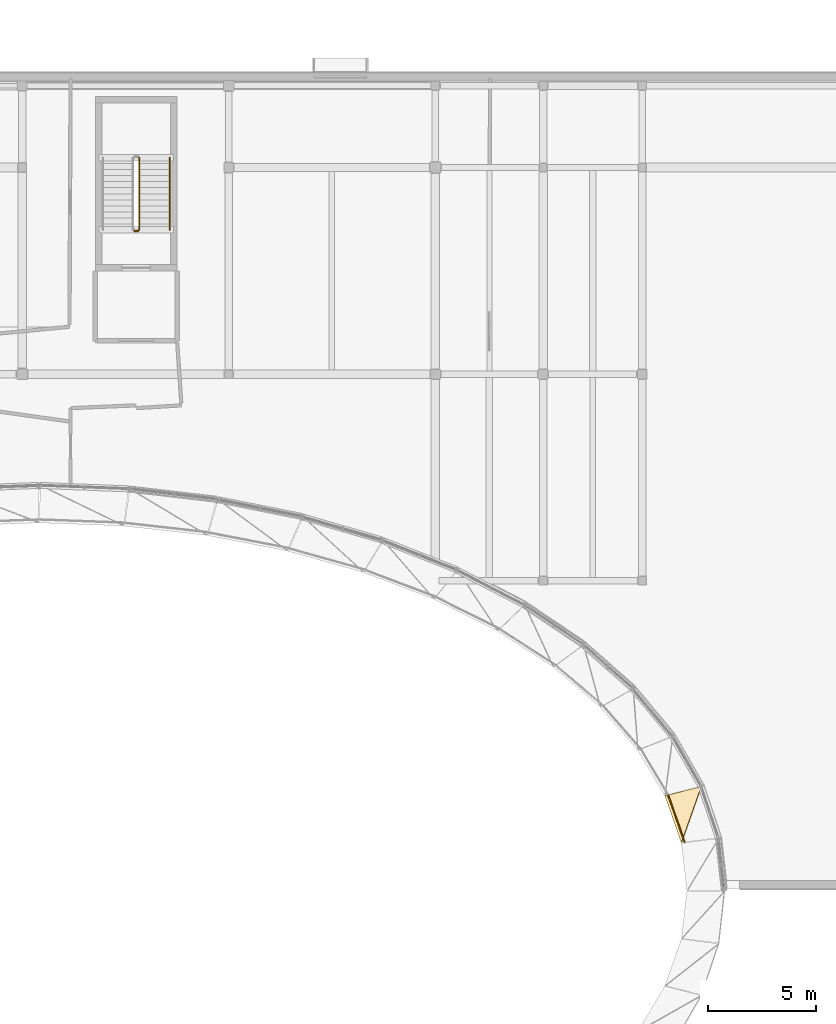
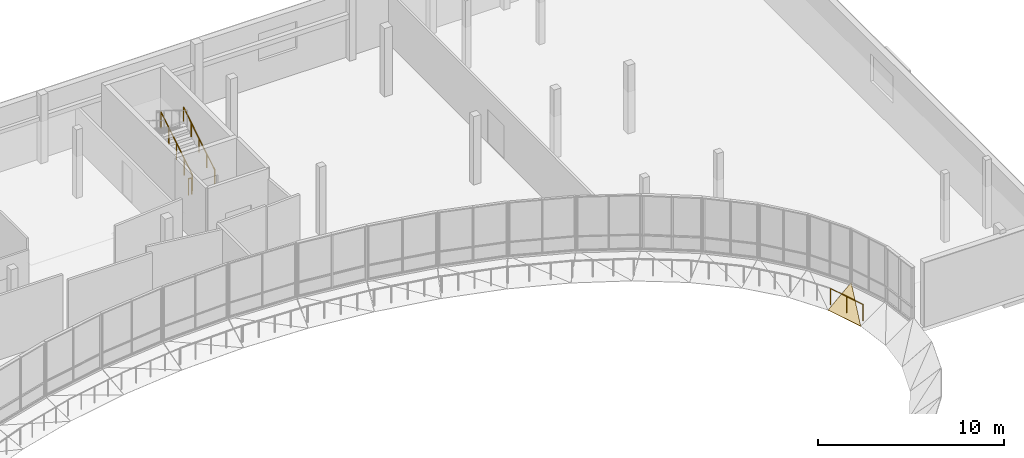
# One storey, part 38 of 41: 4 railings, 1 covering.
"""IFC4 building model written with IfcOpenShell, lengths in metres."""

import ifcopenshell
import ifcopenshell.guid

model = None  # the IFC model being written
_history = None  # IfcOwnerHistory: only IFC2X3 demands one
_inside = {}  # id of a spatial element -> (the spatial element, [elements in it])
_under = {}  # id of a project, library or spatial element -> (it, [spatial elements below it])
_declared = {}  # id of a project -> (the project, [libraries it declares])
_typed = {}  # id of a type object -> (the type object, [elements of that type])
_made_of = {}  # id of a material, layer set ... -> (it, [elements and type objects made of it])


def new_model(schema):
    """Start an empty IFC model of exactly this schema.

    Asked for "IFC4X3", IfcOpenShell would pick the latest addendum, in which some entities
    have other attributes; the version numbers below select the first issue.
    IFC2X3 requires an IfcOwnerHistory on every rooted entity: one is made here for all.
    """
    global model, _history
    if schema == "IFC4X3":
        model = ifcopenshell.file(schema_version=(4, 3, 0, 0))
    else:
        model = ifcopenshell.file(schema=schema)
    _inside.clear()
    _under.clear()
    _declared.clear()
    _typed.clear()
    _made_of.clear()
    _history = None
    if model.schema == "IFC2X3":
        org = make("IfcOrganization", Name="unknown")
        user = make(
            "IfcPersonAndOrganization",
            ThePerson=make("IfcPerson", FamilyName="unknown"),
            TheOrganization=org,
        )
        app = make(
            "IfcApplication",
            ApplicationDeveloper=org,
            Version="unknown",
            ApplicationFullName="unknown",
            ApplicationIdentifier="unknown",
        )
        _history = make(
            "IfcOwnerHistory",
            OwningUser=user,
            OwningApplication=app,
            ChangeAction="ADDED",
            CreationDate=0,
        )
    return model


def make(cls, **values):
    """One entity of the class cls with the attributes given. An attribute that is None is left unset."""
    return model.create_entity(
        cls, **{name: value for name, value in values.items() if value is not None}
    )


def rooted(cls, **values):
    """An entity with a GlobalId (a new one), such as an element, a storey or a relation."""
    return make(cls, GlobalId=ifcopenshell.guid.new(), OwnerHistory=_history, **values)


def si_unit(unit_type, name, prefix=None):
    """IfcSIUnit, for example si_unit("LENGTHUNIT", "METRE", prefix="MILLI")."""
    return make("IfcSIUnit", UnitType=unit_type, Prefix=prefix, Name=name)


def assignment(units):
    """IfcUnitAssignment: the units of a project."""
    return None if units is None else make("IfcUnitAssignment", Units=units)


def point(xyz):
    """IfcCartesianPoint."""
    return None if xyz is None else make("IfcCartesianPoint", Coordinates=xyz)


def direction(xyz):
    """IfcDirection."""
    return None if xyz is None else make("IfcDirection", DirectionRatios=xyz)


def frame(location, z_axis=None, x_axis=None):
    """IfcAxis2Placement3D, a coordinate frame: its origin and axes. An axis left out is left unset."""
    return make(
        "IfcAxis2Placement3D",
        Location=point(location),
        Axis=direction(z_axis),
        RefDirection=direction(x_axis),
    )


def frame_2d(location, x_axis=None):
    """IfcAxis2Placement2D, a coordinate frame in the plane: its origin and x axis."""
    return make(
        "IfcAxis2Placement2D", Location=point(location), RefDirection=direction(x_axis)
    )


def origin():
    """The frame at (0, 0, 0) with its axes left unset."""
    return frame((0.0, 0.0, 0.0))


def origin_2d():
    """The frame at (0, 0) in the plane with its x axis left unset."""
    return frame_2d((0.0, 0.0))


def place(relative_to, where):
    """IfcLocalPlacement: puts the frame where relative to a parent placement (None: the world)."""
    return make(
        "IfcLocalPlacement", PlacementRelTo=relative_to, RelativePlacement=where
    )


def context(
    kind, dimensions, precision=None, world=None, true_north=None, identifier=None
):
    """IfcGeometricRepresentationContext, for example the 3D "Model" context."""
    return make(
        "IfcGeometricRepresentationContext",
        ContextIdentifier=identifier,
        ContextType=kind,
        CoordinateSpaceDimension=dimensions,
        Precision=precision,
        WorldCoordinateSystem=world,
        TrueNorth=true_north,
    )


def subcontext(parent, identifier, kind, view, scale=None):
    """IfcGeometricRepresentationSubContext, for example "Body" below "Model"."""
    return make(
        "IfcGeometricRepresentationSubContext",
        ContextIdentifier=identifier,
        ContextType=kind,
        ParentContext=parent,
        TargetScale=scale,
        TargetView=view,
    )


def project(units=None, contexts=None):
    """IfcProject with its units and contexts."""
    return rooted(
        "IfcProject",
        Name="project",
        RepresentationContexts=contexts,
        UnitsInContext=assignment(units),
    )


def spatial(cls, under=None, at=None, **own):
    """A site, building, storey or space (cls), placed at a placement, below another one or the project."""
    s = rooted(cls, ObjectPlacement=at, **own)
    if under is not None:
        _under.setdefault(under.id(), (under, []))[1].append(s)
    return s


def polyline(points):
    """IfcPolyline through the points."""
    return make("IfcPolyline", Points=[point(p) for p in points])


def profile(cls, at=None, kind="AREA", **sizes):
    """A parametric profile (cls). Its sizes go by their IFC names, for example OverallWidth=200.0."""
    return make(cls, ProfileType=kind, Position=at, **sizes)


def circle(**sizes):
    """IfcCircleProfileDef."""
    return profile("IfcCircleProfileDef", **sizes)


def outline(outer, holes=None, kind="AREA"):
    """IfcArbitraryClosedProfileDef: a profile drawn as a closed curve; with holes, ...WithVoids."""
    if holes is None:
        return make("IfcArbitraryClosedProfileDef", ProfileType=kind, OuterCurve=outer)
    return make(
        "IfcArbitraryProfileDefWithVoids",
        ProfileType=kind,
        OuterCurve=outer,
        InnerCurves=holes,
    )


def extrude(swept, where, along, depth):
    """IfcExtrudedAreaSolid: the profile swept, set in the frame where, extruded along a direction by depth."""
    return make(
        "IfcExtrudedAreaSolid",
        SweptArea=swept,
        Position=where,
        ExtrudedDirection=direction(along),
        Depth=depth,
    )


def shape(context_of_items, identifier, shape_type, items):
    """IfcShapeRepresentation: the items that make up one representation, for example the "Body"."""
    return make(
        "IfcShapeRepresentation",
        ContextOfItems=context_of_items,
        RepresentationIdentifier=identifier,
        RepresentationType=shape_type,
        Items=items,
    )


def material(Name=None, Category=None):
    """IfcMaterial."""
    return make("IfcMaterial", Name=Name, Category=Category)


def layer(
    of_material, thickness, ventilated=None, Name=None, Category=None, Priority=None
):
    """IfcMaterialLayer: one layer of a wall or slab, of a material (None: an air gap)."""
    return make(
        "IfcMaterialLayer",
        Material=of_material,
        LayerThickness=thickness,
        IsVentilated=ventilated,
        Name=Name,
        Category=Category,
        Priority=Priority,
    )


def layer_set(layers, Name=None):
    """IfcMaterialLayerSet."""
    return make("IfcMaterialLayerSet", MaterialLayers=layers, LayerSetName=Name)


def made_of(thing, what):
    """Note that an element or type object is made of a material, layer set ...; save() writes the relation."""
    if what is not None:
        _made_of.setdefault(what.id(), (what, []))[1].append(thing)
    return thing


def type_object(cls, material=None, **own):
    """A type object (cls), such as IfcWallType, which elements share."""
    return made_of(rooted(cls, **own), material)


def element(
    cls,
    number,
    at=None,
    inside=None,
    cuts=None,
    type_object=None,
    material=None,
    context=None,
    identifier="Body",
    shape_type=None,
    held_by="IfcProductDefinitionShape",
    body=None,
    shapes=None,
    **own,
):
    """One element of the class cls, such as IfcWall. Its Tag is "e" and its number.

    at: its placement. inside: the storey or other place that contains it. cuts: it is an
    opening in that element (IfcRelVoidsElement). A single representation is given by context,
    identifier, shape_type and body (its items); several are given by shapes. held_by: the class
    of the entity that holds the representations. save() writes the other relations.
    """
    e = rooted(cls, Tag="e%d" % number, ObjectPlacement=at, **own)
    if body is not None:
        shapes = [shape(context, identifier, shape_type, body)]
    if shapes is not None:
        e.Representation = make(held_by, Representations=shapes)
    if inside is not None:
        _inside.setdefault(inside.id(), (inside, []))[1].append(e)
    if cuts is not None:
        rooted(
            "IfcRelVoidsElement", RelatingBuildingElement=cuts, RelatedOpeningElement=e
        )
    if type_object is not None:
        _typed.setdefault(type_object.id(), (type_object, []))[1].append(e)
    return made_of(e, material)


def aggregate(whole, parts):
    """IfcRelAggregates: a whole, such as a stair, and the parts it consists of."""
    return rooted("IfcRelAggregates", RelatingObject=whole, RelatedObjects=parts)


def save(model, path):
    """Write the relations noted so far, then the file.

    IfcRelAggregates (storeys below a building ...), IfcRelContainedInSpatialStructure (elements
    in a storey), IfcRelDefinesByType, IfcRelAssociatesMaterial and IfcRelDeclares: one each for
    every whole, place, type object, material and project.
    """
    for whole, parts in _under.values():
        aggregate(whole, parts)
    for where, things in _inside.values():
        rooted(
            "IfcRelContainedInSpatialStructure",
            RelatedElements=things,
            RelatingStructure=where,
        )
    for kind, things in _typed.values():
        rooted("IfcRelDefinesByType", RelatedObjects=things, RelatingType=kind)
    for what, things in _made_of.values():
        rooted("IfcRelAssociatesMaterial", RelatedObjects=things, RelatingMaterial=what)
    for by, libraries in _declared.values():
        rooted("IfcRelDeclares", RelatingContext=by, RelatedDefinitions=libraries)
    model.write(path)


model = new_model("IFC4")

# Units and contexts
model_context = context("Model", 3, precision=1e-05, world=origin(), true_north=direction((0.0, 1.0)))
body_context = subcontext(model_context, "Body", "Model", "MODEL_VIEW")
ifc_project = project(units=[si_unit("LENGTHUNIT", "METRE"), si_unit("AREAUNIT", "SQUARE_METRE"), si_unit("VOLUMEUNIT", "CUBIC_METRE"), si_unit("PLANEANGLEUNIT", "RADIAN"), si_unit("MASSUNIT", "GRAM", prefix="KILO")], contexts=[model_context])

# Site, building, storey
site_placement = place(None, origin())
site = spatial("IfcSite", under=ifc_project, at=site_placement, CompositionType="ELEMENT")
building_placement = place(site_placement, origin())
building = spatial("IfcBuilding", under=site, at=building_placement, Name="Mzevani Central Library", CompositionType="ELEMENT")
storey_placement = place(building_placement, frame((0.0, 0.0, 13.800048828125)))
storey = spatial("IfcBuildingStorey", under=building, at=storey_placement, Name="L03", CompositionType="ELEMENT", Elevation=13.800048828125)

# Railings
ifc_material_1 = material(Name="Brushed stainless steel rail", Category="steel")
railing_type_1 = type_object("IfcRailingType", Name="Interior Gallery and Stair Guard 1100", PredefinedType="BALUSTRADE", material=ifc_material_1)
railing_1_placement = place(storey_placement, frame((88.64990234375, 106.699951171875, 0.173095703125)))
element("IfcRailing", 1, at=railing_1_placement, inside=storey, type_object=railing_type_1, Name="L03 ST-06 stair guard 1", PredefinedType="BALUSTRADE", context=body_context, shape_type="SweptSolid", body=[
    extrude(circle(Radius=0.02392578125, at=origin_2d()), frame((0.0, 0.0, 1.076171875), z_axis=(0.0, 0.850623216509, 0.525775754039), x_axis=(-1.0, 0.0, 0.0)), (0.0, 0.0, 1.0), 3.9501953125),
    extrude(circle(Radius=0.02099609375, at=origin_2d()), origin(), (0.0, 0.0, 1.0), 1.052001953125),
    extrude(circle(Radius=0.02099609375, at=origin_2d()), frame((0.0, 0.840087890625, 0.519287109375)), (0.0, 0.0, 1.0), 1.052001953125),
    extrude(circle(Radius=0.02099609375, at=origin_2d()), frame((0.0, 1.68017578125, 1.03857421875)), (0.0, 0.0, 1.0), 1.052001953125),
    extrude(circle(Radius=0.02099609375, at=origin_2d()), frame((0.0, 2.52001953125, 1.5576171875)), (0.0, 0.0, 1.0), 1.052001953125),
    extrude(circle(Radius=0.02099609375, at=origin_2d()), frame((0.0, 3.360107421875, 2.076904296875)), (0.0, 0.0, 1.0), 1.052001953125),
])
railing_2_placement = place(storey_placement, frame((88.60009765625, 106.64990234375, 0.0)))
element("IfcRailing", 2, at=railing_2_placement, inside=storey, type_object=railing_type_1, Name="L03 ST-06 stair guard 4", PredefinedType="BALUSTRADE", context=body_context, shape_type="SweptSolid", body=[
    extrude(circle(Radius=0.02392578125, at=origin_2d()), frame((0.0, 0.0, 1.076171875), z_axis=(-1.0, 0.0, 0.0), x_axis=(0.0, -1.0, 0.0)), (0.0, 0.0, 1.0), 0.2001953125),
    extrude(circle(Radius=0.02099609375, at=origin_2d()), origin(), (0.0, 0.0, 1.0), 1.052001953125),
    extrude(circle(Radius=0.02099609375, at=origin_2d()), frame((-0.2001953125, 0.0, 0.0)), (0.0, 0.0, 1.0), 1.052001953125),
])

# Covering
ifc_material_2 = material(Name="Limestone ashlar cladding", Category="masonry")
ifc_layer = layer(ifc_material_2, 0.050048828125, Name="Limestone Ashlar Spandrel Cladding")
ifc_layer_set = layer_set([ifc_layer], Name="Limestone ashlar cladding")
covering_type = type_object("IfcCoveringType", Name="Limestone Ashlar Spandrel Cladding", PredefinedType="CLADDING", material=ifc_layer_set)
covering_placement = place(storey_placement, frame((113.82275390625, 78.2294921875, -0.280029296875), z_axis=(-0.457488253247, -0.160427927733, 0.874624135354), x_axis=(-0.330914578924, 0.943660713104, 0.0)))
element("IfcCovering", 3, at=covering_placement, inside=storey, type_object=covering_type, Name="L03 Curved Court Spandrel Apron 2A", PredefinedType="CLADDING", context=body_context, shape_type="SweptSolid", body=[
    extrude(outline(polyline([(0.0, 0.0), (2.3129257763854043, 1.1102230246251565e-16), (2.160956113418413, -1.9801107818695842), (0.0, 0.0)])), origin(), (0.0, 0.0, -1.0), 0.06005859375),
])

# Railings
railing_type_2 = type_object("IfcRailingType", Name="Stair Wall Handrail 920", PredefinedType="HANDRAIL", material=ifc_material_1)
railing_3_placement = place(storey_placement, frame((90.050048828125, 106.699951171875, 0.173095703125)))
element("IfcRailing", 4, at=railing_3_placement, inside=storey, type_object=railing_type_2, Name="L03 ST-06 stair handrail 1", PredefinedType="HANDRAIL", context=body_context, shape_type="SweptSolid", body=[
    extrude(circle(Radius=0.02392578125, at=origin_2d()), frame((0.0, 0.0, 0.89599609375), z_axis=(0.0, 0.850623216509, 0.525775754039), x_axis=(-1.0, 0.0, 0.0)), (0.0, 0.0, 1.0), 3.9501953125),
    extrude(circle(Radius=0.02099609375, at=origin_2d()), origin(), (0.0, 0.0, 1.0), 0.871826171875),
    extrude(circle(Radius=0.02099609375, at=origin_2d()), frame((0.0, 0.840087890625, 0.519287109375)), (0.0, 0.0, 1.0), 0.871826171875),
    extrude(circle(Radius=0.02099609375, at=origin_2d()), frame((0.0, 1.68017578125, 1.03857421875)), (0.0, 0.0, 1.0), 0.871826171875),
    extrude(circle(Radius=0.02099609375, at=origin_2d()), frame((0.0, 2.52001953125, 1.5576171875)), (0.0, 0.0, 1.0), 0.871826171875),
    extrude(circle(Radius=0.02099609375, at=origin_2d()), frame((0.0, 3.360107421875, 2.076904296875)), (0.0, 0.0, 1.0), 0.871826171875),
])
ifc_material_3 = material(Name="Anodized architectural bronze")
railing_type_3 = type_object("IfcRailingType", Name="Terrace and Court Balustrade 1100", PredefinedType="BALUSTRADE", material=ifc_material_3)
railing_4_placement = place(storey_placement, frame((113.981689453125, 78.24755859375, 0.0)))
element("IfcRailing", 5, at=railing_4_placement, inside=storey, type_object=railing_type_3, Name="L03 Elliptical Court Terrace Guard 2", PredefinedType="BALUSTRADE", context=body_context, shape_type="SweptSolid", body=[
    extrude(circle(Radius=0.02392578125, at=origin_2d()), frame((0.0, 0.0, 1.076171875), z_axis=(-0.330947543746, 0.943649152646, 0.0), x_axis=(-0.943649152646, -0.330947543746, 0.0)), (0.0, 0.0, 1.0), 2.312744140625),
    extrude(circle(Radius=0.02099609375, at=origin_2d()), origin(), (0.0, 0.0, 1.0), 1.052001953125),
    extrude(circle(Radius=0.02099609375, at=origin_2d()), frame((-0.3828125, 1.09130859375, 0.0)), (0.0, 0.0, 1.0), 1.052001953125),
    extrude(circle(Radius=0.02099609375, at=origin_2d()), frame((-0.765380859375, 2.182373046875, 0.0)), (0.0, 0.0, 1.0), 1.052001953125),
])

save(model, "model.ifc")
